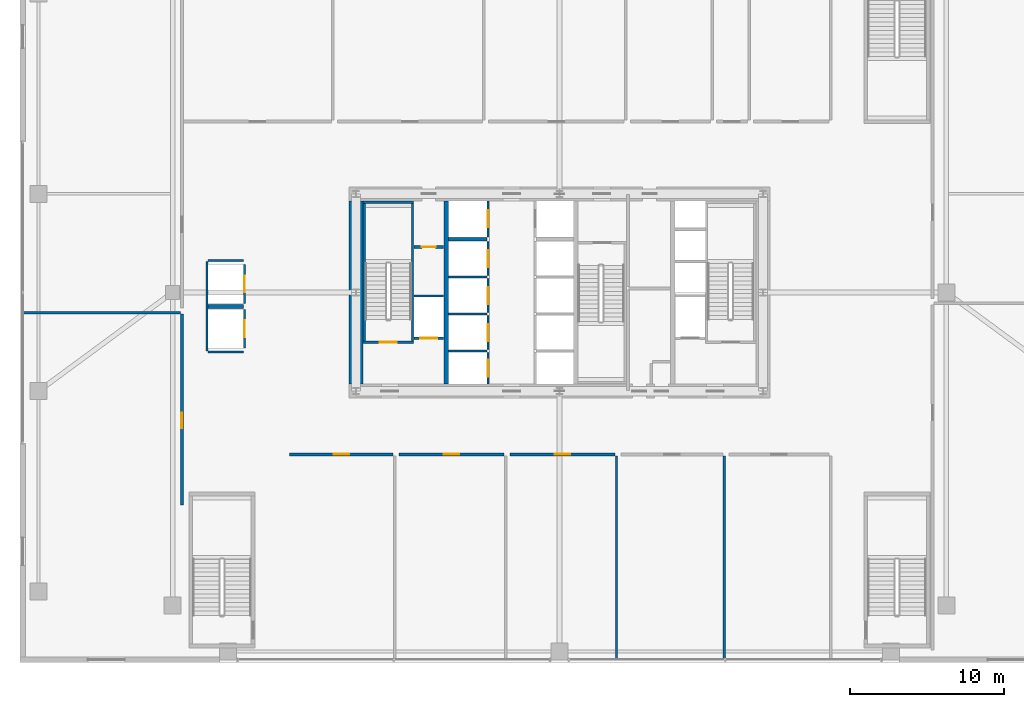
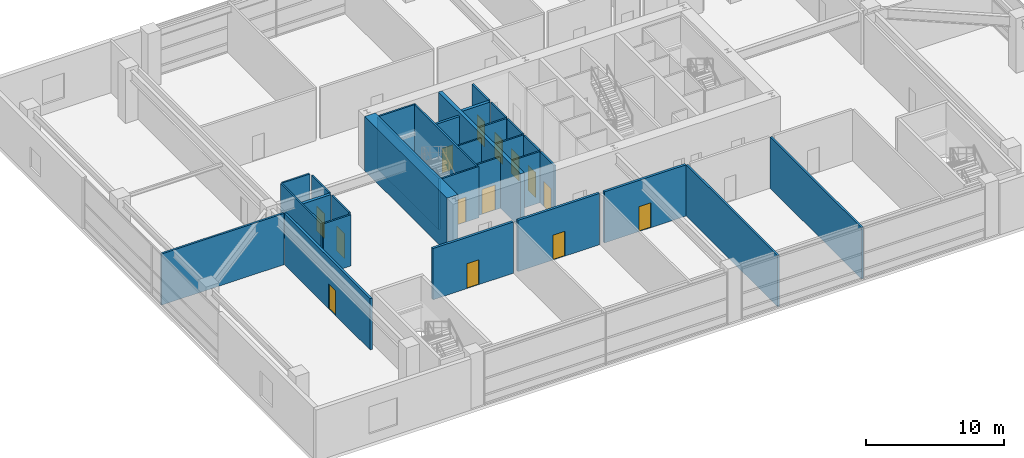
# One storey, part 33 of 39: 31 walls, 14 doors, 14 openings.
"""IFC4 building model written with IfcOpenShell, lengths in metres."""

from ifc_helpers import new_model, si_unit, direction, frame, frame_2d, origin, place, context, subcontext, project, spatial, rectangle, extrude, source, transform, mapped, material, layer, layer_set, type_object, element, fill, save


model = new_model("IFC4")

# Units and contexts
model_context = context("Model", 3, precision=1e-05, world=origin(), true_north=direction((0.0, 1.0)))
body_context = subcontext(model_context, "Body", "Model", "MODEL_VIEW")
ifc_project = project(units=[si_unit("LENGTHUNIT", "METRE"), si_unit("AREAUNIT", "SQUARE_METRE"), si_unit("VOLUMEUNIT", "CUBIC_METRE"), si_unit("PLANEANGLEUNIT", "RADIAN"), si_unit("MASSUNIT", "GRAM", prefix="KILO"), si_unit("THERMODYNAMICTEMPERATUREUNIT", "KELVIN"), si_unit("POWERUNIT", "WATT")], contexts=[model_context])

# Site, building, storey
site_placement = place(None, origin())
site = spatial("IfcSite", under=ifc_project, at=site_placement, CompositionType="ELEMENT")
building_placement = place(site_placement, origin())
building = spatial("IfcBuilding", under=site, at=building_placement, Name="Yuzanri Waterfront Tower", CompositionType="ELEMENT")
storey_placement = place(building_placement, frame((0.0, 0.0, 15.0)))
storey = spatial("IfcBuildingStorey", under=building, at=storey_placement, Name="L04", CompositionType="ELEMENT", Elevation=15.0)

# Wall, opening, door
ifc_material_1 = material(Name="Concrete C40", Category="concrete")
ifc_layer_1 = layer(ifc_material_1, 0.139892578125)
ifc_layer_set_1 = layer_set([ifc_layer_1], Name="Concrete C40")
wall_type_1 = type_object("IfcWallType", Name="Core Stair Liner and Hoistway Shaft Wall 140", PredefinedType="SOLIDWALL", material=ifc_layer_set_1)
wall_1_placement = place(storey_placement, frame((27.56005859375, 22.830078125, 0.0), z_axis=(0.0, 0.0, 1.0), x_axis=(1.0, 0.0, 0.0)))
wall_1 = element("IfcWall", 1, at=wall_1_placement, inside=storey, type_object=wall_type_1, Name="L04 Lift FL-01 Front Shaft Wall", PredefinedType="SOLIDWALL", context=body_context, shape_type="SweptSolid", body=[
    extrude(rectangle(XDim=1.919921875, YDim=0.139892578125, at=frame_2d((0.9599609375, 0.0))), origin(), (0.0, 0.0, 1.0), 4.52001953125),
])
opening_1_placement = place(wall_1_placement, frame((0.409912109375, 0.0, 0.0)))
opening_1 = element("IfcOpeningElement", 2, at=opening_1_placement, cuts=wall_1, Name="Opening LD-FL-01", PredefinedType="OPENING", context=body_context, shape_type="SweptSolid", body=[
    extrude(rectangle(XDim=1.10009765625, YDim=2.199951171875, at=frame_2d((0.550048828125, 1.10009765625))), frame((0.0, 0.0849609375, 0.0), z_axis=(0.0, -1.0, 0.0), x_axis=(1.0, 0.0, 0.0)), (0.0, 0.0, 1.0), 0.169677734375),
])
ifc_material_2 = material(Name="Brushed Bronze and Stainless Steel Cab", Category="steel")
door_type_1 = type_object("IfcDoorType", Name="Center-Parting Bronze Lift Landing Sliding Door 1100x2200", OperationType="NOTDEFINED", PredefinedType="DOOR", material=ifc_material_2)
shared_shape_1 = source(origin(), body_context, "Body", "SweptSolid", [
    extrude(rectangle(XDim=1.10009765625, YDim=2.199951171875, at=frame_2d((0.550048828125, 1.10009765625))), frame((0.0, 0.02490234375, 0.0), z_axis=(0.0, -1.0, 0.0), x_axis=(1.0, 0.0, 0.0)), (0.0, 0.0, 1.0), 0.050048828125),
])
door_1_placement = place(opening_1_placement, origin())
door_1 = element("IfcDoor", 3, at=door_1_placement, inside=storey, type_object=door_type_1, Name="L04 FL-01 Lift Landing Sliding Door", OperationType="SLIDING_TO_LEFT", OverallHeight=2.199951171875, OverallWidth=1.10009765625, PredefinedType="DOOR", context=body_context, shape_type="MappedRepresentation", body=[
    mapped(shared_shape_1, transform((0.0, 0.0, 0.0), scale=1.0)),
])
fill(opening_1, door_1)

wall_2_placement = place(storey_placement, frame((32.3701171875, 19.860107421875, 0.0), z_axis=(0.0, 0.0, 1.0), x_axis=(0.0, 1.0, 0.0)))
wall_2 = element("IfcWall", 4, at=wall_2_placement, inside=storey, type_object=wall_type_1, Name="L04 Lift PL-01 Front Shaft Wall", PredefinedType="SOLIDWALL", context=body_context, shape_type="SweptSolid", body=[
    extrude(rectangle(XDim=2.039794921875, YDim=0.139892578125, at=frame_2d((1.02001953125, 0.0))), origin(), (0.0, 0.0, 1.0), 4.52001953125),
])
opening_2_placement = place(wall_2_placement, frame((0.469970703125, 0.0, 0.0)))
opening_2 = element("IfcOpeningElement", 5, at=opening_2_placement, cuts=wall_2, Name="Opening LD-PL-01", PredefinedType="OPENING", context=body_context, shape_type="SweptSolid", body=[
    extrude(rectangle(XDim=1.10009765625, YDim=2.199951171875, at=frame_2d((0.550048828125, 1.10009765625))), frame((0.0, 0.0849609375, 0.0), z_axis=(0.0, -1.0, 0.0), x_axis=(1.0, 0.0, 0.0)), (0.0, 0.0, 1.0), 0.169677734375),
])
door_2_placement = place(opening_2_placement, origin())
door_2 = element("IfcDoor", 6, at=door_2_placement, inside=storey, type_object=door_type_1, Name="L04 PL-01 Lift Landing Sliding Door", OperationType="SLIDING_TO_LEFT", OverallHeight=2.199951171875, OverallWidth=1.10009765625, PredefinedType="DOOR", context=body_context, shape_type="MappedRepresentation", body=[
    mapped(shared_shape_1, transform((0.0, 0.0, 0.0), scale=1.0)),
])
fill(opening_2, door_2)

wall_3_placement = place(storey_placement, frame((32.3701171875, 22.10009765625, 0.0), z_axis=(0.0, 0.0, 1.0), x_axis=(0.0, 1.0, 0.0)))
wall_3 = element("IfcWall", 7, at=wall_3_placement, inside=storey, type_object=wall_type_1, Name="L04 Lift PL-02 Front Shaft Wall", PredefinedType="SOLIDWALL", context=body_context, shape_type="SweptSolid", body=[
    extrude(rectangle(XDim=2.199951171875, YDim=0.139892578125, at=frame_2d((1.10009765625, 0.0))), origin(), (0.0, 0.0, 1.0), 4.52001953125),
])
opening_3_placement = place(wall_3_placement, frame((0.550048828125, 0.0, 0.0)))
opening_3 = element("IfcOpeningElement", 8, at=opening_3_placement, cuts=wall_3, Name="Opening LD-PL-02", PredefinedType="OPENING", context=body_context, shape_type="SweptSolid", body=[
    extrude(rectangle(XDim=1.10009765625, YDim=2.199951171875, at=frame_2d((0.550048828125, 1.10009765625))), frame((0.0, 0.0849609375, 0.0), z_axis=(0.0, -1.0, 0.0), x_axis=(1.0, 0.0, 0.0)), (0.0, 0.0, 1.0), 0.169677734375),
])
door_3_placement = place(opening_3_placement, origin())
door_3 = element("IfcDoor", 9, at=door_3_placement, inside=storey, type_object=door_type_1, Name="L04 PL-02 Lift Landing Sliding Door", OperationType="SLIDING_TO_RIGHT", OverallHeight=2.199951171875, OverallWidth=1.10009765625, PredefinedType="DOOR", context=body_context, shape_type="MappedRepresentation", body=[
    mapped(shared_shape_1, transform((0.0, 0.0, 0.0), scale=1.0)),
])
fill(opening_3, door_3)

wall_4_placement = place(storey_placement, frame((32.3701171875, 24.5, 0.0), z_axis=(0.0, 0.0, 1.0), x_axis=(0.0, 1.0, 0.0)))
wall_4 = element("IfcWall", 10, at=wall_4_placement, inside=storey, type_object=wall_type_1, Name="L04 Lift PL-03 Front Shaft Wall", PredefinedType="SOLIDWALL", context=body_context, shape_type="SweptSolid", body=[
    extrude(rectangle(XDim=2.199951171875, YDim=0.139892578125, at=frame_2d((1.10009765625, 0.0))), origin(), (0.0, 0.0, 1.0), 4.52001953125),
])
opening_4_placement = place(wall_4_placement, frame((0.550048828125, 0.0, 0.0)))
opening_4 = element("IfcOpeningElement", 11, at=opening_4_placement, cuts=wall_4, Name="Opening LD-PL-03", PredefinedType="OPENING", context=body_context, shape_type="SweptSolid", body=[
    extrude(rectangle(XDim=1.10009765625, YDim=2.199951171875, at=frame_2d((0.550048828125, 1.10009765625))), frame((0.0, 0.0849609375, 0.0), z_axis=(0.0, -1.0, 0.0), x_axis=(1.0, 0.0, 0.0)), (0.0, 0.0, 1.0), 0.169677734375),
])
door_4_placement = place(opening_4_placement, origin())
door_4 = element("IfcDoor", 12, at=door_4_placement, inside=storey, type_object=door_type_1, Name="L04 PL-03 Lift Landing Sliding Door", OperationType="SLIDING_TO_LEFT", OverallHeight=2.199951171875, OverallWidth=1.10009765625, PredefinedType="DOOR", context=body_context, shape_type="MappedRepresentation", body=[
    mapped(shared_shape_1, transform((0.0, 0.0, 0.0), scale=1.0)),
])
fill(opening_4, door_4)

wall_5_placement = place(storey_placement, frame((32.3701171875, 26.89990234375, 0.0), z_axis=(0.0, 0.0, 1.0), x_axis=(0.0, 1.0, 0.0)))
wall_5 = element("IfcWall", 13, at=wall_5_placement, inside=storey, type_object=wall_type_1, Name="L04 Lift PL-04 Front Shaft Wall", PredefinedType="SOLIDWALL", context=body_context, shape_type="SweptSolid", body=[
    extrude(rectangle(XDim=2.2001953125, YDim=0.139892578125, at=frame_2d((1.10009765625, 0.0))), origin(), (0.0, 0.0, 1.0), 4.52001953125),
])
opening_5_placement = place(wall_5_placement, frame((0.550048828125, 0.0, 0.0)))
opening_5 = element("IfcOpeningElement", 14, at=opening_5_placement, cuts=wall_5, Name="Opening LD-PL-04", PredefinedType="OPENING", context=body_context, shape_type="SweptSolid", body=[
    extrude(rectangle(XDim=1.10009765625, YDim=2.199951171875, at=frame_2d((0.550048828125, 1.10009765625))), frame((0.0, 0.0849609375, 0.0), z_axis=(0.0, -1.0, 0.0), x_axis=(1.0, 0.0, 0.0)), (0.0, 0.0, 1.0), 0.169677734375),
])
door_5_placement = place(opening_5_placement, origin())
door_5 = element("IfcDoor", 15, at=door_5_placement, inside=storey, type_object=door_type_1, Name="L04 PL-04 Lift Landing Sliding Door", OperationType="SLIDING_TO_RIGHT", OverallHeight=2.199951171875, OverallWidth=1.10009765625, PredefinedType="DOOR", context=body_context, shape_type="MappedRepresentation", body=[
    mapped(shared_shape_1, transform((0.0, 0.0, 0.0), scale=1.0)),
])
fill(opening_5, door_5)

wall_6_placement = place(storey_placement, frame((32.3701171875, 29.39990234375, 0.0), z_axis=(0.0, 0.0, 1.0), x_axis=(0.0, 1.0, 0.0)))
wall_6 = element("IfcWall", 16, at=wall_6_placement, inside=storey, type_object=wall_type_1, Name="L04 Lift SL-01 Front Shaft Wall", PredefinedType="SOLIDWALL", context=body_context, shape_type="SweptSolid", body=[
    extrude(rectangle(XDim=2.340087890625, YDim=0.139892578125, at=frame_2d((1.169921875, 0.0))), origin(), (0.0, 0.0, 1.0), 4.52001953125),
])
opening_6_placement = place(wall_6_placement, frame((0.6201171875, 0.0, 0.0)))
opening_6 = element("IfcOpeningElement", 17, at=opening_6_placement, cuts=wall_6, Name="Opening LD-SL-01", PredefinedType="OPENING", context=body_context, shape_type="SweptSolid", body=[
    extrude(rectangle(XDim=1.10009765625, YDim=2.199951171875, at=frame_2d((0.550048828125, 1.10009765625))), frame((0.0, 0.0849609375, 0.0), z_axis=(0.0, -1.0, 0.0), x_axis=(1.0, 0.0, 0.0)), (0.0, 0.0, 1.0), 0.169677734375),
])
door_6_placement = place(opening_6_placement, origin())
door_6 = element("IfcDoor", 18, at=door_6_placement, inside=storey, type_object=door_type_1, Name="L04 SL-01 Lift Landing Sliding Door", OperationType="SLIDING_TO_LEFT", OverallHeight=2.199951171875, OverallWidth=1.10009765625, PredefinedType="DOOR", context=body_context, shape_type="MappedRepresentation", body=[
    mapped(shared_shape_1, transform((0.0, 0.0, 0.0), scale=1.0)),
])
fill(opening_6, door_6)

wall_7_placement = place(storey_placement, frame((16.570068359375, 22.199951171875, 0.0), z_axis=(0.0, 0.0, 1.0), x_axis=(0.0, 1.0, 0.0)))
wall_7 = element("IfcWall", 19, at=wall_7_placement, inside=storey, type_object=wall_type_1, Name="L04 Lift RL-01 Front Shaft Wall", PredefinedType="SOLIDWALL", context=body_context, shape_type="SweptSolid", body=[
    extrude(rectangle(XDim=2.5, YDim=0.139892578125, at=frame_2d((1.25, 0.0))), origin(), (0.0, 0.0, 1.0), 4.52001953125),
])
opening_7_placement = place(wall_7_placement, frame((0.699951171875, 0.0, 0.0)))
opening_7 = element("IfcOpeningElement", 20, at=opening_7_placement, cuts=wall_7, Name="Opening LD-RL-01", PredefinedType="OPENING", context=body_context, shape_type="SweptSolid", body=[
    extrude(rectangle(XDim=1.10009765625, YDim=2.199951171875, at=frame_2d((0.550048828125, 1.10009765625))), frame((0.0, 0.0849609375, 0.0), z_axis=(0.0, -1.0, 0.0), x_axis=(1.0, 0.0, 0.0)), (0.0, 0.0, 1.0), 0.169677734375),
])
door_7_placement = place(opening_7_placement, origin())
door_7 = element("IfcDoor", 21, at=door_7_placement, inside=storey, type_object=door_type_1, Name="L04 RL-01 Lift Landing Sliding Door", OperationType="SLIDING_TO_RIGHT", OverallHeight=2.199951171875, OverallWidth=1.10009765625, PredefinedType="DOOR", context=body_context, shape_type="MappedRepresentation", body=[
    mapped(shared_shape_1, transform((0.0, 0.0, 0.0), scale=1.0)),
])
fill(opening_7, door_7)

wall_8_placement = place(storey_placement, frame((16.570068359375, 25.10009765625, 0.0), z_axis=(0.0, 0.0, 1.0), x_axis=(0.0, 1.0, 0.0)))
wall_8 = element("IfcWall", 22, at=wall_8_placement, inside=storey, type_object=wall_type_1, Name="L04 Lift RL-02 Front Shaft Wall", PredefinedType="SOLIDWALL", context=body_context, shape_type="SweptSolid", body=[
    extrude(rectangle(XDim=2.5, YDim=0.139892578125, at=frame_2d((1.25, 0.0))), origin(), (0.0, 0.0, 1.0), 4.52001953125),
])
opening_8_placement = place(wall_8_placement, frame((0.699951171875, 0.0, 0.0)))
opening_8 = element("IfcOpeningElement", 23, at=opening_8_placement, cuts=wall_8, Name="Opening LD-RL-02", PredefinedType="OPENING", context=body_context, shape_type="SweptSolid", body=[
    extrude(rectangle(XDim=1.10009765625, YDim=2.199951171875, at=frame_2d((0.550048828125, 1.10009765625))), frame((0.0, 0.0849609375, 0.0), z_axis=(0.0, -1.0, 0.0), x_axis=(1.0, 0.0, 0.0)), (0.0, 0.0, 1.0), 0.169677734375),
])
door_8_placement = place(opening_8_placement, origin())
door_8 = element("IfcDoor", 24, at=door_8_placement, inside=storey, type_object=door_type_1, Name="L04 RL-02 Lift Landing Sliding Door", OperationType="SLIDING_TO_LEFT", OverallHeight=2.199951171875, OverallWidth=1.10009765625, PredefinedType="DOOR", context=body_context, shape_type="MappedRepresentation", body=[
    mapped(shared_shape_1, transform((0.0, 0.0, 0.0), scale=1.0)),
])
fill(opening_8, door_8)

wall_9_placement = place(storey_placement, frame((24.260009765625, 22.570068359375, 0.0), z_axis=(0.0, 0.0, 1.0), x_axis=(1.0, 0.0, 0.0)))
wall_9 = element("IfcWall", 25, at=wall_9_placement, inside=storey, type_object=wall_type_1, Name="L04 Shaft Wall STW-L04-ST-01-S", PredefinedType="SOLIDWALL", context=body_context, shape_type="SweptSolid", body=[
    extrude(rectangle(XDim=3.280029296875, YDim=0.139892578125, at=frame_2d((1.64013671875, 0.0))), origin(), (0.0, 0.0, 1.0), 4.52001953125),
])
opening_9_placement = place(wall_9_placement, frame((1.090087890625, 0.0, 0.0)))
opening_9 = element("IfcOpeningElement", 26, at=opening_9_placement, cuts=wall_9, Name="Opening FD-1100", PredefinedType="OPENING", context=body_context, shape_type="SweptSolid", body=[
    extrude(rectangle(XDim=1.10009765625, YDim=2.199951171875, at=frame_2d((0.550048828125, 1.10009765625))), frame((0.0, 0.0849609375, 0.0), z_axis=(0.0, -1.0, 0.0), x_axis=(1.0, 0.0, 0.0)), (0.0, 0.0, 1.0), 0.169677734375),
])
ifc_material_3 = material(Name="Painted Galvanized Fire Steel", Category="steel")
door_type_2 = type_object("IfcDoorType", Name="Smoke-Proof Stair and Lobby Fire Door 1100x2200", OperationType="NOTDEFINED", PredefinedType="DOOR", material=ifc_material_3)
shared_shape_2 = source(origin(), body_context, "Body", "SweptSolid", [
    extrude(rectangle(XDim=1.10009765625, YDim=2.199951171875, at=frame_2d((0.550048828125, 1.10009765625))), frame((0.0, 0.02490234375, 0.0), z_axis=(0.0, -1.0, 0.0), x_axis=(1.0, 0.0, 0.0)), (0.0, 0.0, 1.0), 0.050048828125),
])
door_9_placement = place(opening_9_placement, origin())
door_9 = element("IfcDoor", 27, at=door_9_placement, inside=storey, type_object=door_type_2, Name="L04 Stair ST-01 Fire Door", OperationType="SINGLE_SWING_LEFT", OverallHeight=2.199951171875, OverallWidth=1.10009765625, PredefinedType="DOOR", context=body_context, shape_type="MappedRepresentation", body=[
    mapped(shared_shape_2, transform((0.0, 0.0, 0.0), scale=1.0)),
])
fill(opening_9, door_9)

ifc_material_4 = material(Name="Autoclaved Aerated Concrete Blockwork", Category="masonry")
ifc_layer_2 = layer(ifc_material_4, 0.199951171875)
ifc_layer_set_2 = layer_set([ifc_layer_2], Name="Autoclaved Aerated Concrete Blockwork")
wall_type_2 = type_object("IfcWallType", Name="Corridor and Unit Party Fire Wall 200", PredefinedType="PARTITIONING", material=ifc_layer_set_2)
wall_10_placement = place(storey_placement, frame((27.56005859375, 28.75, 0.0), z_axis=(0.0, 0.0, 1.0), x_axis=(1.0, 0.0, 0.0)))
wall_10 = element("IfcWall", 28, at=wall_10_placement, inside=storey, type_object=wall_type_2, Name="L04 Partition CRW-L04-ERTR", PredefinedType="PARTITIONING", context=body_context, shape_type="SweptSolid", body=[
    extrude(rectangle(XDim=1.919921875, YDim=0.199951171875, at=frame_2d((0.9599609375, 0.0))), origin(), (0.0, 0.0, 1.0), 4.52001953125),
])
opening_10_placement = place(wall_10_placement, frame((0.510009765625, 0.0, 0.0)))
opening_10 = element("IfcOpeningElement", 29, at=opening_10_placement, cuts=wall_10, Name="Opening FD-0900", PredefinedType="OPENING", context=body_context, shape_type="SweptSolid", body=[
    extrude(rectangle(XDim=0.89990234375, YDim=2.14990234375, at=frame_2d((0.449951171875, 1.074951171875))), frame((0.0, 0.11474609375, 0.0), z_axis=(0.0, -1.0, 0.0), x_axis=(1.0, 0.0, 0.0)), (0.0, 0.0, 1.0), 0.229736328125),
])
ifc_material_5 = material(Name="Painted Galvanized Fire Steel", Category="steel")
door_type_3 = type_object("IfcDoorType", Name="Riser and Service Room Fire Door 900x2150", OperationType="NOTDEFINED", PredefinedType="DOOR", material=ifc_material_5)
shared_shape_3 = source(origin(), body_context, "Body", "SweptSolid", [
    extrude(rectangle(XDim=0.89990234375, YDim=2.14990234375, at=frame_2d((0.449951171875, 1.074951171875))), frame((0.0, 0.02490234375, 0.0), z_axis=(0.0, -1.0, 0.0), x_axis=(1.0, 0.0, 0.0)), (0.0, 0.0, 1.0), 0.050048828125),
])
door_10_placement = place(opening_10_placement, origin())
door_10 = element("IfcDoor", 30, at=door_10_placement, inside=storey, type_object=door_type_3, Name="L04 Electrical Riser Door", OperationType="SINGLE_SWING_LEFT", OverallHeight=2.14990234375, OverallWidth=0.89990234375, PredefinedType="DOOR", context=body_context, shape_type="MappedRepresentation", body=[
    mapped(shared_shape_3, transform((0.0, 0.0, 0.0), scale=1.0)),
])
fill(opening_10, door_10)

wall_11_placement = place(storey_placement, frame((19.5, 15.300048828125, 0.0), z_axis=(0.0, 0.0, 1.0), x_axis=(1.0, 0.0, 0.0)))
wall_11 = element("IfcWall", 31, at=wall_11_placement, inside=storey, type_object=wall_type_2, Name="L04 Partition PRW-L04-026-N", PredefinedType="PARTITIONING", context=body_context, shape_type="SweptSolid", body=[
    extrude(rectangle(XDim=6.699951171875, YDim=0.199951171875, at=frame_2d((3.35009765625, 0.0))), origin(), (0.0, 0.0, 1.0), 4.52001953125),
])
opening_11_placement = place(wall_11_placement, frame((2.85009765625, 0.0, 0.0)))
opening_11 = element("IfcOpeningElement", 32, at=opening_11_placement, cuts=wall_11, Name="Opening FD-1000", PredefinedType="OPENING", context=body_context, shape_type="SweptSolid", body=[
    extrude(rectangle(XDim=1.0, YDim=2.199951171875, at=frame_2d((0.5, 1.10009765625))), frame((0.0, 0.11474609375, 0.0), z_axis=(0.0, -1.0, 0.0), x_axis=(1.0, 0.0, 0.0)), (0.0, 0.0, 1.0), 0.229736328125),
])
ifc_material_6 = material(Name="Engineered Oak Fire-Rated Timber", Category="wood")
door_type_4 = type_object("IfcDoorType", Name="Guestroom and Apartment Entrance Fire Door 1000x2200", OperationType="NOTDEFINED", PredefinedType="DOOR", material=ifc_material_6)
shared_shape_4 = source(origin(), body_context, "Body", "SweptSolid", [
    extrude(rectangle(XDim=1.0, YDim=2.199951171875, at=frame_2d((0.5, 1.10009765625))), frame((0.0, 0.02490234375, 0.0), z_axis=(0.0, -1.0, 0.0), x_axis=(1.0, 0.0, 0.0)), (0.0, 0.0, 1.0), 0.050048828125),
])
door_11_placement = place(opening_11_placement, origin())
door_11 = element("IfcDoor", 33, at=door_11_placement, inside=storey, type_object=door_type_4, Name="L04 Wellness Spa Reception Hall", OperationType="SINGLE_SWING_LEFT", OverallHeight=2.199951171875, OverallWidth=1.0, PredefinedType="DOOR", context=body_context, shape_type="MappedRepresentation", body=[
    mapped(shared_shape_4, transform((0.0, 0.0, 0.0), scale=1.0)),
])
fill(opening_11, door_11)

wall_12_placement = place(storey_placement, frame((26.60009765625, 15.300048828125, 0.0), z_axis=(0.0, 0.0, 1.0), x_axis=(1.0, 0.0, 0.0)))
wall_12 = element("IfcWall", 34, at=wall_12_placement, inside=storey, type_object=wall_type_2, Name="L04 Partition PRW-L04-027-N", PredefinedType="PARTITIONING", context=body_context, shape_type="SweptSolid", body=[
    extrude(rectangle(XDim=6.7998046875, YDim=0.199951171875, at=frame_2d((3.39990234375, 0.0))), origin(), (0.0, 0.0, 1.0), 4.52001953125),
])
opening_12_placement = place(wall_12_placement, frame((2.89990234375, 0.0, 0.0)))
opening_12 = element("IfcOpeningElement", 35, at=opening_12_placement, cuts=wall_12, Name="Opening FD-1000", PredefinedType="OPENING", context=body_context, shape_type="SweptSolid", body=[
    extrude(rectangle(XDim=1.0, YDim=2.199951171875, at=frame_2d((0.5, 1.10009765625))), frame((0.0, 0.11474609375, 0.0), z_axis=(0.0, -1.0, 0.0), x_axis=(1.0, 0.0, 0.0)), (0.0, 0.0, 1.0), 0.229736328125),
])
door_12_placement = place(opening_12_placement, origin())
door_12 = element("IfcDoor", 36, at=door_12_placement, inside=storey, type_object=door_type_4, Name="L04 Hydrotherapy Treatment Room A", OperationType="SINGLE_SWING_RIGHT", OverallHeight=2.199951171875, OverallWidth=1.0, PredefinedType="DOOR", context=body_context, shape_type="MappedRepresentation", body=[
    mapped(shared_shape_4, transform((0.0, 0.0, 0.0), scale=1.0)),
])
fill(opening_12, door_12)

wall_13_placement = place(storey_placement, frame((33.800048828125, 15.300048828125, 0.0), z_axis=(0.0, 0.0, 1.0), x_axis=(1.0, 0.0, 0.0)))
wall_13 = element("IfcWall", 37, at=wall_13_placement, inside=storey, type_object=wall_type_2, Name="L04 Partition PRW-L04-028-N", PredefinedType="PARTITIONING", context=body_context, shape_type="SweptSolid", body=[
    extrude(rectangle(XDim=6.800048828125, YDim=0.199951171875, at=frame_2d((3.39990234375, 0.0))), origin(), (0.0, 0.0, 1.0), 4.52001953125),
])
opening_13_placement = place(wall_13_placement, frame((2.89990234375, 0.0, 0.0)))
opening_13 = element("IfcOpeningElement", 38, at=opening_13_placement, cuts=wall_13, Name="Opening FD-1000", PredefinedType="OPENING", context=body_context, shape_type="SweptSolid", body=[
    extrude(rectangle(XDim=1.0, YDim=2.199951171875, at=frame_2d((0.5, 1.10009765625))), frame((0.0, 0.11474609375, 0.0), z_axis=(0.0, -1.0, 0.0), x_axis=(1.0, 0.0, 0.0)), (0.0, 0.0, 1.0), 0.229736328125),
])
door_13_placement = place(opening_13_placement, origin())
door_13 = element("IfcDoor", 39, at=door_13_placement, inside=storey, type_object=door_type_4, Name="L04 Aromatherapy Treatment Room B", OperationType="SINGLE_SWING_LEFT", OverallHeight=2.199951171875, OverallWidth=1.0, PredefinedType="DOOR", context=body_context, shape_type="MappedRepresentation", body=[
    mapped(shared_shape_4, transform((0.0, 0.0, 0.0), scale=1.0)),
])
fill(opening_13, door_13)

wall_14_placement = place(storey_placement, frame((12.5, 12.0, 0.0), z_axis=(0.0, 0.0, 1.0), x_axis=(0.0, 1.0, 0.0)))
wall_14 = element("IfcWall", 40, at=wall_14_placement, inside=storey, type_object=wall_type_2, Name="L04 Partition PRW-L04-031-E", PredefinedType="PARTITIONING", context=body_context, shape_type="SweptSolid", body=[
    extrude(rectangle(XDim=12.39990234375, YDim=0.199951171875, at=frame_2d((6.199951171875, 0.0))), origin(), (0.0, 0.0, 1.0), 4.52001953125),
])
opening_14_placement = place(wall_14_placement, frame((5.0, 0.0, 0.0)))
opening_14 = element("IfcOpeningElement", 41, at=opening_14_placement, cuts=wall_14, Name="Opening FD-1000", PredefinedType="OPENING", context=body_context, shape_type="SweptSolid", body=[
    extrude(rectangle(XDim=1.0, YDim=2.199951171875, at=frame_2d((0.5, 1.10009765625))), frame((0.0, 0.11474609375, 0.0), z_axis=(0.0, -1.0, 0.0), x_axis=(1.0, 0.0, 0.0)), (0.0, 0.0, 1.0), 0.229736328125),
])
door_14_placement = place(opening_14_placement, origin())
door_14 = element("IfcDoor", 42, at=door_14_placement, inside=storey, type_object=door_type_4, Name="L04 Hydrotherapy Thermal Vitality Pool Hall", OperationType="SINGLE_SWING_RIGHT", OverallHeight=2.199951171875, OverallWidth=1.0, PredefinedType="DOOR", context=body_context, shape_type="MappedRepresentation", body=[
    mapped(shared_shape_4, transform((0.0, 0.0, 0.0), scale=1.0)),
])
fill(opening_14, door_14)

# Walls
ifc_material_7 = material(Name="Concrete C60", Category="concrete")
ifc_layer_3 = layer(ifc_material_7, 0.89990234375)
ifc_layer_set_3 = layer_set([ifc_layer_3], Name="Concrete C60")
wall_type_3 = type_object("IfcWallType", Name="Concrete C60 Lower Zone Core Shear Wall 900", PredefinedType="SHEAR", material=ifc_layer_set_3)
shared_shape_5 = source(origin(), body_context, "Body", "SweptSolid", [
    extrude(rectangle(XDim=11.89990234375, YDim=0.89990234375, at=frame_2d((5.949951171875, 0.0))), origin(), (0.0, 0.0, 1.0), 4.800048828125),
])
wall_15_placement = place(storey_placement, frame((23.800048828125, 19.85009765625, 0.0), z_axis=(0.0, 0.0, 1.0), x_axis=(0.0, 1.0, 0.0)))
element("IfcWall", 43, at=wall_15_placement, inside=storey, type_object=wall_type_3, Name="L04 Core West Shear Wall", PredefinedType="SHEAR", context=body_context, shape_type="MappedRepresentation", body=[
    mapped(shared_shape_5, transform((0.0, 0.0, 0.0), scale=1.0)),
])
ifc_material_8 = material(Name="Concrete C50", Category="concrete")
ifc_layer_4 = layer(ifc_material_8, 0.300048828125)
ifc_layer_set_4 = layer_set([ifc_layer_4], Name="Concrete C50")
wall_type_4 = type_object("IfcWallType", Name="Concrete C50 Internal Core Shaft Structural Wall 300", PredefinedType="SOLIDWALL", material=ifc_layer_set_4)
shared_shape_6 = source(origin(), body_context, "Body", "SweptSolid", [
    extrude(rectangle(XDim=11.89990234375, YDim=0.300048828125, at=frame_2d((5.949951171875, 0.0))), origin(), (0.0, 0.0, 1.0), 4.800048828125),
])
wall_16_placement = place(storey_placement, frame((29.64990234375, 19.85009765625, 0.0), z_axis=(0.0, 0.0, 1.0), x_axis=(0.0, 1.0, 0.0)))
element("IfcWall", 44, at=wall_16_placement, inside=storey, type_object=wall_type_4, Name="L04 Core Internal Structural Web Wall 1", PredefinedType="SOLIDWALL", context=body_context, shape_type="MappedRepresentation", body=[
    mapped(shared_shape_6, transform((0.0, 0.0, 0.0), scale=1.0)),
])
shared_shape_7 = source(origin(), body_context, "Body", "SweptSolid", [
    extrude(rectangle(XDim=1.919921875, YDim=0.139892578125, at=frame_2d((0.9599609375, 0.0))), origin(), (0.0, 0.0, 1.0), 4.52001953125),
])
wall_17_placement = place(storey_placement, frame((27.56005859375, 25.570068359375, 0.0), z_axis=(0.0, 0.0, 1.0), x_axis=(1.0, 0.0, 0.0)))
element("IfcWall", 45, at=wall_17_placement, inside=storey, type_object=wall_type_1, Name="L04 Lift FL-01 Back Shaft Wall", PredefinedType="SOLIDWALL", context=body_context, shape_type="MappedRepresentation", body=[
    mapped(shared_shape_7, transform((0.0, 0.0, 0.0), scale=1.0)),
])
shared_shape_8 = source(origin(), body_context, "Body", "SweptSolid", [
    extrude(rectangle(XDim=2.5, YDim=0.139892578125, at=frame_2d((1.25, 0.0))), origin(), (0.0, 0.0, 1.0), 4.52001953125),
])
for number, where, z_axis, x_axis, name in (
    (46, (29.800048828125, 22.0, 0.0), (0.0, 0.0, 1.0), (1.0, 0.0, 0.0), "L04 Lift PL-01 Divider Wall"),
    (47, (29.800048828125, 24.39990234375, 0.0), (0.0, 0.0, 1.0), (1.0, 0.0, 0.0), "L04 Lift PL-02 Divider Wall"),
    (48, (29.800048828125, 26.800048828125, 0.0), (0.0, 0.0, 1.0), (1.0, 0.0, 0.0), "L04 Lift PL-03 Divider Wall"),
):
    element("IfcWall", number, at=place(storey_placement, frame(where, z_axis=z_axis, x_axis=x_axis)), inside=storey, type_object=wall_type_1, Name=name, PredefinedType="SOLIDWALL", context=body_context, shape_type="MappedRepresentation", body=[
        mapped(shared_shape_8, transform((0.0, 0.0, 0.0), scale=1.0)),
    ])
ifc_material_9 = material(Name="Concrete C40", Category="concrete")
ifc_layer_5 = layer(ifc_material_9, 0.25)
ifc_layer_set_5 = layer_set([ifc_layer_5], Name="Concrete C40")
wall_type_5 = type_object("IfcWallType", Name="Smoke-Proof Stair and Lift Shaft Wall 250", PredefinedType="SOLIDWALL", material=ifc_layer_set_5)
shared_shape_9 = source(origin(), body_context, "Body", "SweptSolid", [
    extrude(rectangle(XDim=2.5, YDim=0.25, at=frame_2d((1.25, 0.0))), origin(), (0.0, 0.0, 1.0), 4.52001953125),
])
wall_18_placement = place(storey_placement, frame((29.800048828125, 29.25, 0.0), z_axis=(0.0, 0.0, 1.0), x_axis=(1.0, 0.0, 0.0)))
element("IfcWall", 49, at=wall_18_placement, inside=storey, type_object=wall_type_5, Name="L04 Lift SL-01 South Shaft Wall", PredefinedType="SOLIDWALL", context=body_context, shape_type="MappedRepresentation", body=[
    mapped(shared_shape_9, transform((0.0, 0.0, 0.0), scale=1.0)),
])
shared_shape_10 = source(origin(), body_context, "Body", "SweptSolid", [
    extrude(rectangle(XDim=2.300048828125, YDim=0.25, at=frame_2d((1.14990234375, 0.0))), origin(), (0.0, 0.0, 1.0), 4.52001953125),
])
wall_19_placement = place(storey_placement, frame((14.199951171875, 24.89990234375, 0.0), z_axis=(0.0, 0.0, 1.0), x_axis=(1.0, 0.0, 0.0)))
element("IfcWall", 50, at=wall_19_placement, inside=storey, type_object=wall_type_5, Name="L04 Lift RL-01 Divider Wall", PredefinedType="SOLIDWALL", context=body_context, shape_type="MappedRepresentation", body=[
    mapped(shared_shape_10, transform((0.0, 0.0, 0.0), scale=1.0)),
])
shared_shape_11 = source(origin(), body_context, "Body", "SweptSolid", [
    extrude(rectangle(XDim=5.800048828125, YDim=0.139892578125, at=frame_2d((2.89990234375, 0.0))), origin(), (0.0, 0.0, 1.0), 4.52001953125),
])
wall_20_placement = place(storey_placement, frame((14.1298828125, 22.0, 0.0), z_axis=(0.0, 0.0, 1.0), x_axis=(0.0, 1.0, 0.0)))
element("IfcWall", 51, at=wall_20_placement, inside=storey, type_object=wall_type_1, Name="L04 Retail Lift West Shaft Wall", PredefinedType="SOLIDWALL", context=body_context, shape_type="MappedRepresentation", body=[
    mapped(shared_shape_11, transform((0.0, 0.0, 0.0), scale=1.0)),
])
shared_shape_12 = source(origin(), body_context, "Body", "SweptSolid", [
    extrude(rectangle(XDim=2.300048828125, YDim=0.139892578125, at=frame_2d((1.14990234375, 0.0))), origin(), (0.0, 0.0, 1.0), 4.52001953125),
])
for number, where, z_axis, x_axis, name in (
    (52, (14.199951171875, 21.929931640625, 0.0), (0.0, 0.0, 1.0), (1.0, 0.0, 0.0), "L04 Retail Lift South Shaft Wall"),
    (53, (14.199951171875, 27.8701171875, 0.0), (0.0, 0.0, 1.0), (1.0, 0.0, 0.0), "L04 Retail Lift North Shaft Wall"),
):
    element("IfcWall", number, at=place(storey_placement, frame(where, z_axis=z_axis, x_axis=x_axis)), inside=storey, type_object=wall_type_1, Name=name, PredefinedType="SOLIDWALL", context=body_context, shape_type="MappedRepresentation", body=[
        mapped(shared_shape_12, transform((0.0, 0.0, 0.0), scale=1.0)),
    ])
shared_shape_13 = source(origin(), body_context, "Body", "SweptSolid", [
    extrude(rectangle(XDim=3.280029296875, YDim=0.139892578125, at=frame_2d((1.64013671875, 0.0))), origin(), (0.0, 0.0, 1.0), 4.52001953125),
])
wall_21_placement = place(storey_placement, frame((24.260009765625, 31.64990234375, 0.0), z_axis=(0.0, 0.0, 1.0), x_axis=(1.0, 0.0, 0.0)))
element("IfcWall", 54, at=wall_21_placement, inside=storey, type_object=wall_type_1, Name="L04 Stair ST-01 North Shaft Wall", PredefinedType="SOLIDWALL", context=body_context, shape_type="MappedRepresentation", body=[
    mapped(shared_shape_13, transform((0.0, 0.0, 0.0), scale=1.0)),
])
shared_shape_14 = source(origin(), body_context, "Body", "SweptSolid", [
    extrude(rectangle(XDim=8.940185546875, YDim=0.139892578125, at=frame_2d((4.47021484375, 0.0))), origin(), (0.0, 0.0, 1.0), 4.52001953125),
])
for number, where, z_axis, x_axis, name in (
    (55, (24.330078125, 22.639892578125, 0.0), (0.0, 0.0, 1.0), (0.0, 1.0, 0.0), "L04 Stair ST-01 West Shaft Wall"),
    (56, (27.469970703125, 22.639892578125, 0.0), (0.0, 0.0, 1.0), (0.0, 1.0, 0.0), "L04 Stair ST-01 East Shaft Wall"),
):
    element("IfcWall", number, at=place(storey_placement, frame(where, z_axis=z_axis, x_axis=x_axis)), inside=storey, type_object=wall_type_1, Name=name, PredefinedType="SOLIDWALL", context=body_context, shape_type="MappedRepresentation", body=[
        mapped(shared_shape_14, transform((0.0, 0.0, 0.0), scale=1.0)),
    ])
ifc_material_10 = material(Name="Gypsum Fireboard Acoustic Stud Wall", Category="gypsum")
ifc_layer_6 = layer(ifc_material_10, 0.159912109375)
ifc_layer_set_6 = layer_set([ifc_layer_6], Name="Gypsum Fireboard Acoustic Stud Wall")
wall_type_6 = type_object("IfcWallType", Name="Acoustic Suite Demising Partition 160", PredefinedType="PARTITIONING", material=ifc_layer_set_6)
shared_shape_15 = source(origin(), body_context, "Body", "SweptSolid", [
    extrude(rectangle(XDim=10.219970703125, YDim=0.159912109375, at=frame_2d((5.10986328125, 0.0))), origin(), (0.0, 0.0, 1.0), 4.52001953125),
])
wall_22_placement = place(storey_placement, frame((2.179931640625, 24.5, 0.0), z_axis=(0.0, 0.0, 1.0), x_axis=(1.0, 0.0, 0.0)))
element("IfcWall", 57, at=wall_22_placement, inside=storey, type_object=wall_type_6, Name="L04-031 North Partition", PredefinedType="PARTITIONING", context=body_context, shape_type="MappedRepresentation", body=[
    mapped(shared_shape_15, transform((0.0, 0.0, 0.0), scale=1.0)),
])
shared_shape_16 = source(origin(), body_context, "Body", "SweptSolid", [
    extrude(rectangle(XDim=13.219970703125, YDim=0.159912109375, at=frame_2d((6.60986328125, 0.0))), origin(), (0.0, 0.0, 1.0), 4.52001953125),
])
for number, where, z_axis, x_axis, name in (
    (58, (40.699951171875, 1.97998046875, 0.0), (0.0, 0.0, 1.0), (0.0, 1.0, 0.0), "L04-028 Demising Wall"),
    (59, (47.699951171875, 1.97998046875, 0.0), (0.0, 0.0, 1.0), (0.0, 1.0, 0.0), "L04-029 Demising Wall"),
):
    element("IfcWall", number, at=place(storey_placement, frame(where, z_axis=z_axis, x_axis=x_axis)), inside=storey, type_object=wall_type_6, Name=name, PredefinedType="PARTITIONING", context=body_context, shape_type="MappedRepresentation", body=[
        mapped(shared_shape_16, transform((0.0, 0.0, 0.0), scale=1.0)),
    ])

save(model, "model.ifc")
